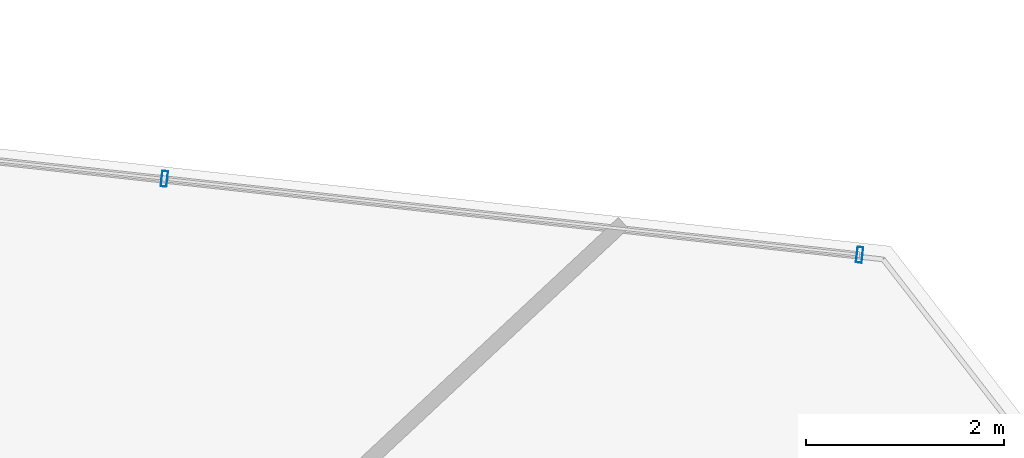
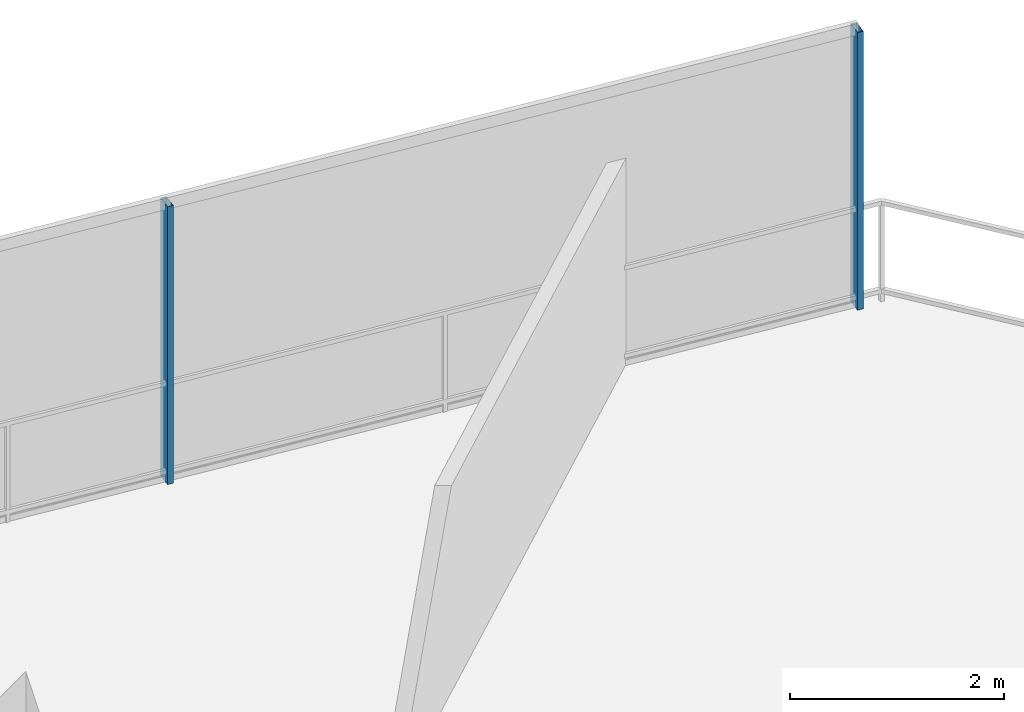
# One storey, part 22 of 28: 2 members, 1 element without a shape of its own.
"""IFC4 building model written with IfcOpenShell, lengths in metres."""

from ifc_helpers import new_model, si_unit, direction, frame, origin, origin_2d, place, context, subcontext, project, spatial, hollow_rectangle, extrude, material, layer, layer_set, material_profile, profile_set, type_object, element, aggregate, save


model = new_model("IFC4")

# Units and contexts
model_context = context("Model", 3, precision=1e-05, world=origin(), true_north=direction((0.0, 1.0)))
body_context = subcontext(model_context, "Body", "Model", "MODEL_VIEW")
ifc_project = project(units=[si_unit("LENGTHUNIT", "METRE"), si_unit("AREAUNIT", "SQUARE_METRE"), si_unit("VOLUMEUNIT", "CUBIC_METRE"), si_unit("PLANEANGLEUNIT", "RADIAN"), si_unit("MASSUNIT", "GRAM", prefix="KILO")], contexts=[model_context])

# Site, building, storey
site_placement = place(None, origin())
site = spatial("IfcSite", under=ifc_project, at=site_placement, CompositionType="ELEMENT")
building_placement = place(site_placement, origin())
building = spatial("IfcBuilding", under=site, at=building_placement, Name="Qarnah Convention Tower", CompositionType="ELEMENT")
storey_placement = place(building_placement, frame((0.0, 0.0, 44.25)))
storey = spatial("IfcBuildingStorey", under=building, at=storey_placement, Name="L10", CompositionType="ELEMENT", Elevation=44.25)

# Curtain wall, members
ifc_material_1 = material(Name="Tempered Low-E dark glass", Category="glass")
ifc_layer = layer(ifc_material_1, 0.16796875)
ifc_layer_set = layer_set([ifc_layer], Name="Tempered Low-E dark glass")
curtain_wall_type = type_object("IfcCurtainWallType", Name="CWS-01", PredefinedType="NOTDEFINED", material=ifc_layer_set)
curtain_wall_placement = place(storey_placement, origin())
curtain_wall = element("IfcCurtainWall", 1, at=curtain_wall_placement, inside=storey, type_object=curtain_wall_type, Name="L10 unitised curtain wall CW-L10-F2", PredefinedType="NOTDEFINED")
ifc_material_2 = material(Name="Black anodised aluminium", Category="aluminium")
ifc_material_profile = material_profile(ifc_material_2, hollow_rectangle(XDim=0.06005859375, YDim=0.159912109375, WallThickness=0.00390625, at=origin_2d()), Name="MUL-60X160")
ifc_profile_set = profile_set([ifc_material_profile], Name="Black anodised aluminium")
member_type = type_object("IfcMemberType", Name="MUL-T1", PredefinedType="MULLION", material=ifc_profile_set)
member_1_placement = place(storey_placement, frame((50.951171875, 43.64208984375, 0.0), z_axis=(0.0, 0.0, 1.0), x_axis=(0.994075669195, -0.108690219954, 0.0)))
member_1 = element("IfcMember", 2, at=member_1_placement, type_object=member_type, Name="CW-L10-F2 mullion 5", PredefinedType="MULLION", context=body_context, shape_type="SweptSolid", body=[
    extrude(hollow_rectangle(XDim=0.06005859375, YDim=0.159912109375, WallThickness=0.00390625, at=origin_2d()), origin(), (0.0, 0.0, 1.0), 3.169921875),
])
member_2_placement = place(storey_placement, frame((57.95703125, 42.8759765625, 0.0), z_axis=(0.0, 0.0, 1.0), x_axis=(0.994075669195, -0.108690219954, 0.0)))
member_2 = element("IfcMember", 3, at=member_2_placement, type_object=member_type, Name="CW-L10-F2 mullion 6", PredefinedType="MULLION", context=body_context, shape_type="SweptSolid", body=[
    extrude(hollow_rectangle(XDim=0.06005859375, YDim=0.159912109375, WallThickness=0.00390625, at=origin_2d()), origin(), (0.0, 0.0, 1.0), 3.169921875),
])
aggregate(curtain_wall, [member_1, member_2])

save(model, "model.ifc")
